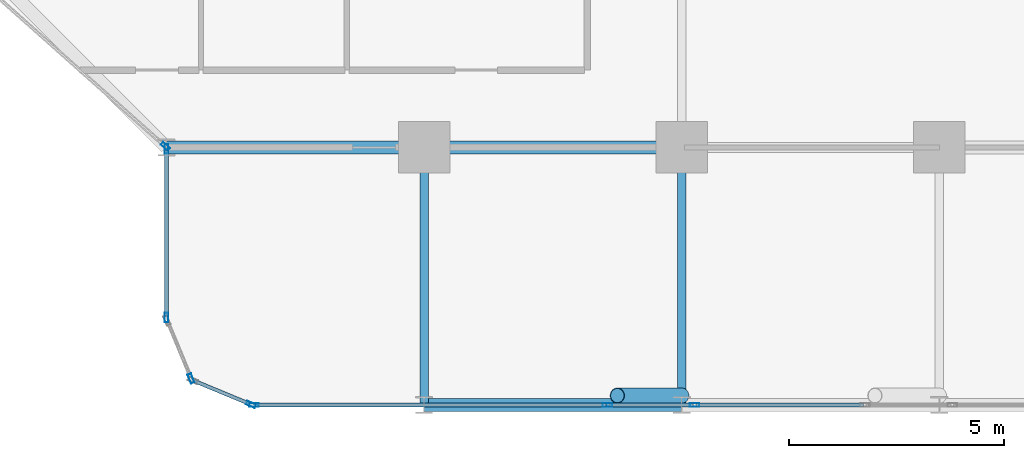
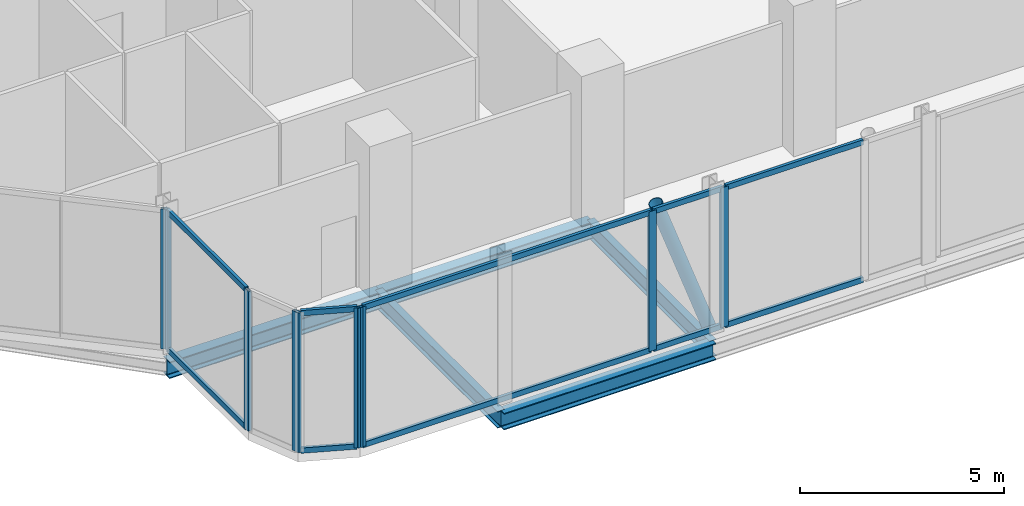
# One storey, part 4 of 30: 19 members, 5 beams, 7 elements without a shape of their own.
"""IFC4 building model written with IfcOpenShell, lengths in metres."""

import ifcopenshell
import ifcopenshell.guid

model = None  # the IFC model being written
_history = None  # IfcOwnerHistory: only IFC2X3 demands one
_inside = {}  # id of a spatial element -> (the spatial element, [elements in it])
_under = {}  # id of a project, library or spatial element -> (it, [spatial elements below it])
_declared = {}  # id of a project -> (the project, [libraries it declares])
_typed = {}  # id of a type object -> (the type object, [elements of that type])
_made_of = {}  # id of a material, layer set ... -> (it, [elements and type objects made of it])


def new_model(schema):
    """Start an empty IFC model of exactly this schema.

    Asked for "IFC4X3", IfcOpenShell would pick the latest addendum, in which some entities
    have other attributes; the version numbers below select the first issue.
    IFC2X3 requires an IfcOwnerHistory on every rooted entity: one is made here for all.
    """
    global model, _history
    if schema == "IFC4X3":
        model = ifcopenshell.file(schema_version=(4, 3, 0, 0))
    else:
        model = ifcopenshell.file(schema=schema)
    _inside.clear()
    _under.clear()
    _declared.clear()
    _typed.clear()
    _made_of.clear()
    _history = None
    if model.schema == "IFC2X3":
        org = make("IfcOrganization", Name="unknown")
        user = make(
            "IfcPersonAndOrganization",
            ThePerson=make("IfcPerson", FamilyName="unknown"),
            TheOrganization=org,
        )
        app = make(
            "IfcApplication",
            ApplicationDeveloper=org,
            Version="unknown",
            ApplicationFullName="unknown",
            ApplicationIdentifier="unknown",
        )
        _history = make(
            "IfcOwnerHistory",
            OwningUser=user,
            OwningApplication=app,
            ChangeAction="ADDED",
            CreationDate=0,
        )
    return model


def make(cls, **values):
    """One entity of the class cls with the attributes given. An attribute that is None is left unset."""
    return model.create_entity(
        cls, **{name: value for name, value in values.items() if value is not None}
    )


def rooted(cls, **values):
    """An entity with a GlobalId (a new one), such as an element, a storey or a relation."""
    return make(cls, GlobalId=ifcopenshell.guid.new(), OwnerHistory=_history, **values)


def si_unit(unit_type, name, prefix=None):
    """IfcSIUnit, for example si_unit("LENGTHUNIT", "METRE", prefix="MILLI")."""
    return make("IfcSIUnit", UnitType=unit_type, Prefix=prefix, Name=name)


def assignment(units):
    """IfcUnitAssignment: the units of a project."""
    return None if units is None else make("IfcUnitAssignment", Units=units)


def point(xyz):
    """IfcCartesianPoint."""
    return None if xyz is None else make("IfcCartesianPoint", Coordinates=xyz)


def direction(xyz):
    """IfcDirection."""
    return None if xyz is None else make("IfcDirection", DirectionRatios=xyz)


def frame(location, z_axis=None, x_axis=None):
    """IfcAxis2Placement3D, a coordinate frame: its origin and axes. An axis left out is left unset."""
    return make(
        "IfcAxis2Placement3D",
        Location=point(location),
        Axis=direction(z_axis),
        RefDirection=direction(x_axis),
    )


def frame_2d(location, x_axis=None):
    """IfcAxis2Placement2D, a coordinate frame in the plane: its origin and x axis."""
    return make(
        "IfcAxis2Placement2D", Location=point(location), RefDirection=direction(x_axis)
    )


def origin():
    """The frame at (0, 0, 0) with its axes left unset."""
    return frame((0.0, 0.0, 0.0))


def origin_2d():
    """The frame at (0, 0) in the plane with its x axis left unset."""
    return frame_2d((0.0, 0.0))


def place(relative_to, where):
    """IfcLocalPlacement: puts the frame where relative to a parent placement (None: the world)."""
    return make(
        "IfcLocalPlacement", PlacementRelTo=relative_to, RelativePlacement=where
    )


def context(
    kind, dimensions, precision=None, world=None, true_north=None, identifier=None
):
    """IfcGeometricRepresentationContext, for example the 3D "Model" context."""
    return make(
        "IfcGeometricRepresentationContext",
        ContextIdentifier=identifier,
        ContextType=kind,
        CoordinateSpaceDimension=dimensions,
        Precision=precision,
        WorldCoordinateSystem=world,
        TrueNorth=true_north,
    )


def subcontext(parent, identifier, kind, view, scale=None):
    """IfcGeometricRepresentationSubContext, for example "Body" below "Model"."""
    return make(
        "IfcGeometricRepresentationSubContext",
        ContextIdentifier=identifier,
        ContextType=kind,
        ParentContext=parent,
        TargetScale=scale,
        TargetView=view,
    )


def project(units=None, contexts=None):
    """IfcProject with its units and contexts."""
    return rooted(
        "IfcProject",
        Name="project",
        RepresentationContexts=contexts,
        UnitsInContext=assignment(units),
    )


def spatial(cls, under=None, at=None, **own):
    """A site, building, storey or space (cls), placed at a placement, below another one or the project."""
    s = rooted(cls, ObjectPlacement=at, **own)
    if under is not None:
        _under.setdefault(under.id(), (under, []))[1].append(s)
    return s


def profile(cls, at=None, kind="AREA", **sizes):
    """A parametric profile (cls). Its sizes go by their IFC names, for example OverallWidth=200.0."""
    return make(cls, ProfileType=kind, Position=at, **sizes)


def hollow_rectangle(**sizes):
    """IfcRectangleHollowProfileDef."""
    return profile("IfcRectangleHollowProfileDef", **sizes)


def hollow_circle(**sizes):
    """IfcCircleHollowProfileDef."""
    return profile("IfcCircleHollowProfileDef", **sizes)


def i_section(**sizes):
    """IfcIShapeProfileDef."""
    return profile("IfcIShapeProfileDef", **sizes)


def extrude(swept, where, along, depth):
    """IfcExtrudedAreaSolid: the profile swept, set in the frame where, extruded along a direction by depth."""
    return make(
        "IfcExtrudedAreaSolid",
        SweptArea=swept,
        Position=where,
        ExtrudedDirection=direction(along),
        Depth=depth,
    )


def shape(context_of_items, identifier, shape_type, items):
    """IfcShapeRepresentation: the items that make up one representation, for example the "Body"."""
    return make(
        "IfcShapeRepresentation",
        ContextOfItems=context_of_items,
        RepresentationIdentifier=identifier,
        RepresentationType=shape_type,
        Items=items,
    )


def material(Name=None, Category=None):
    """IfcMaterial."""
    return make("IfcMaterial", Name=Name, Category=Category)


def layer(
    of_material, thickness, ventilated=None, Name=None, Category=None, Priority=None
):
    """IfcMaterialLayer: one layer of a wall or slab, of a material (None: an air gap)."""
    return make(
        "IfcMaterialLayer",
        Material=of_material,
        LayerThickness=thickness,
        IsVentilated=ventilated,
        Name=Name,
        Category=Category,
        Priority=Priority,
    )


def layer_set(layers, Name=None):
    """IfcMaterialLayerSet."""
    return make("IfcMaterialLayerSet", MaterialLayers=layers, LayerSetName=Name)


def material_profile(
    of_material, cross_section, Name=None, Category=None, Priority=None
):
    """IfcMaterialProfile: a cross section and its material."""
    return make(
        "IfcMaterialProfile",
        Name=Name,
        Material=of_material,
        Profile=cross_section,
        Priority=Priority,
        Category=Category,
    )


def profile_set(profiles, Name=None, composite=None):
    """IfcMaterialProfileSet."""
    return make(
        "IfcMaterialProfileSet",
        Name=Name,
        MaterialProfiles=profiles,
        CompositeProfile=composite,
    )


def made_of(thing, what):
    """Note that an element or type object is made of a material, layer set ...; save() writes the relation."""
    if what is not None:
        _made_of.setdefault(what.id(), (what, []))[1].append(thing)
    return thing


def type_object(cls, material=None, **own):
    """A type object (cls), such as IfcWallType, which elements share."""
    return made_of(rooted(cls, **own), material)


def element(
    cls,
    number,
    at=None,
    inside=None,
    cuts=None,
    type_object=None,
    material=None,
    context=None,
    identifier="Body",
    shape_type=None,
    held_by="IfcProductDefinitionShape",
    body=None,
    shapes=None,
    **own,
):
    """One element of the class cls, such as IfcWall. Its Tag is "e" and its number.

    at: its placement. inside: the storey or other place that contains it. cuts: it is an
    opening in that element (IfcRelVoidsElement). A single representation is given by context,
    identifier, shape_type and body (its items); several are given by shapes. held_by: the class
    of the entity that holds the representations. save() writes the other relations.
    """
    e = rooted(cls, Tag="e%d" % number, ObjectPlacement=at, **own)
    if body is not None:
        shapes = [shape(context, identifier, shape_type, body)]
    if shapes is not None:
        e.Representation = make(held_by, Representations=shapes)
    if inside is not None:
        _inside.setdefault(inside.id(), (inside, []))[1].append(e)
    if cuts is not None:
        rooted(
            "IfcRelVoidsElement", RelatingBuildingElement=cuts, RelatedOpeningElement=e
        )
    if type_object is not None:
        _typed.setdefault(type_object.id(), (type_object, []))[1].append(e)
    return made_of(e, material)


def aggregate(whole, parts):
    """IfcRelAggregates: a whole, such as a stair, and the parts it consists of."""
    return rooted("IfcRelAggregates", RelatingObject=whole, RelatedObjects=parts)


def save(model, path):
    """Write the relations noted so far, then the file.

    IfcRelAggregates (storeys below a building ...), IfcRelContainedInSpatialStructure (elements
    in a storey), IfcRelDefinesByType, IfcRelAssociatesMaterial and IfcRelDeclares: one each for
    every whole, place, type object, material and project.
    """
    for whole, parts in _under.values():
        aggregate(whole, parts)
    for where, things in _inside.values():
        rooted(
            "IfcRelContainedInSpatialStructure",
            RelatedElements=things,
            RelatingStructure=where,
        )
    for kind, things in _typed.values():
        rooted("IfcRelDefinesByType", RelatedObjects=things, RelatingType=kind)
    for what, things in _made_of.values():
        rooted("IfcRelAssociatesMaterial", RelatedObjects=things, RelatingMaterial=what)
    for by, libraries in _declared.values():
        rooted("IfcRelDeclares", RelatingContext=by, RelatedDefinitions=libraries)
    model.write(path)


model = new_model("IFC4")

# Units and contexts
model_context = context("Model", 3, precision=1e-05, world=origin(), true_north=direction((0.0, 1.0)))
body_context = subcontext(model_context, "Body", "Model", "MODEL_VIEW")
ifc_project = project(units=[si_unit("LENGTHUNIT", "METRE"), si_unit("AREAUNIT", "SQUARE_METRE"), si_unit("VOLUMEUNIT", "CUBIC_METRE"), si_unit("PLANEANGLEUNIT", "RADIAN"), si_unit("MASSUNIT", "GRAM", prefix="KILO")], contexts=[model_context])

# Site, building, storey
site_placement = place(None, origin())
site = spatial("IfcSite", under=ifc_project, at=site_placement, CompositionType="ELEMENT")
building_placement = place(site_placement, origin())
building = spatial("IfcBuilding", under=site, at=building_placement, Name="Keshet Zoharim Tower", CompositionType="ELEMENT")
storey_placement = place(building_placement, frame((0.0, 0.0, 65.60009765625)))
storey = spatial("IfcBuildingStorey", under=building, at=storey_placement, Name="L15", CompositionType="ELEMENT", Elevation=65.60009765625)

# Beams
ifc_material_1 = material(Name="Steel S355", Category="steel")
ifc_material_profile_1 = material_profile(ifc_material_1, i_section(OverallWidth=0.199951171875, OverallDepth=0.5, WebThickness=0.01025390625, FlangeThickness=0.01611328125, FilletRadius=0.02099609375, at=origin_2d()), Name="IPE500")
ifc_profile_set_1 = profile_set([ifc_material_profile_1], Name="Steel S355")
beam_type_1 = type_object("IfcBeamType", Name="BM-PRI-IP500", PredefinedType="BEAM", material=ifc_profile_set_1)
for number, where, z_axis, x_axis, name in (
    (1, (27.0, 0.699951171875, -0.570068359375), (0.0, 1.0, 0.0), (-1.0, 0.0, 0.0), "L15 Primary Girder Y-004"),
    (2, (33.0, 0.699951171875, -0.570068359375), (0.0, 1.0, 0.0), (-1.0, 0.0, 0.0), "L15 Primary Girder Y-005"),
):
    element("IfcBeam", number, at=place(storey_placement, frame(where, z_axis=z_axis, x_axis=x_axis)), inside=storey, type_object=beam_type_1, Name=name, PredefinedType="BEAM", context=body_context, shape_type="SweptSolid", body=[
        extrude(i_section(OverallWidth=0.199951171875, OverallDepth=0.5, WebThickness=0.01025390625, FlangeThickness=0.01611328125, FilletRadius=0.02099609375, at=origin_2d()), origin(), (0.0, 0.0, 1.0), 6.0),
    ])
ifc_material_profile_2 = material_profile(ifc_material_1, i_section(OverallWidth=0.300048828125, OverallDepth=0.5, WebThickness=0.014404296875, FlangeThickness=0.028076171875, FilletRadius=0.027099609375, at=origin_2d()), Name="HEB500")
ifc_profile_set_2 = profile_set([ifc_material_profile_2], Name="Steel S355")
beam_type_2 = type_object("IfcBeamType", Name="BM-WEB-HB500", PredefinedType="BEAM", material=ifc_profile_set_2)
for number, where, z_axis, x_axis, name in (
    (3, (27.0, 0.699951171875, -0.570068359375), (1.0, 0.0, 0.0), (0.0, 1.0, 0.0), "L15 Primary Girder X-001"),
    (4, (21.0, 6.699951171875, -0.570068359375), (1.0, 0.0, 0.0), (0.0, 1.0, 0.0), "L15 Primary Girder X-006"),
    (5, (27.0, 6.699951171875, -0.570068359375), (1.0, 0.0, 0.0), (0.0, 1.0, 0.0), "L15 Primary Girder X-007"),
):
    element("IfcBeam", number, at=place(storey_placement, frame(where, z_axis=z_axis, x_axis=x_axis)), inside=storey, type_object=beam_type_2, Name=name, PredefinedType="BEAM", context=body_context, shape_type="SweptSolid", body=[
        extrude(i_section(OverallWidth=0.300048828125, OverallDepth=0.5, WebThickness=0.014404296875, FlangeThickness=0.028076171875, FilletRadius=0.027099609375, at=origin_2d()), origin(), (0.0, 0.0, 1.0), 6.0),
    ])

# Curtain wall, member
ifc_material_2 = material(Name="Aluminium 6063-T6", Category="aluminium")
ifc_layer = layer(ifc_material_2, 0.179931640625)
ifc_layer_set = layer_set([ifc_layer], Name="Aluminium 6063-T6")
curtain_wall_type = type_object("IfcCurtainWallType", Name="CW-SYS-01", PredefinedType="NOTDEFINED", material=ifc_layer_set)
curtain_wall_1_placement = place(storey_placement, origin())
curtain_wall_1 = element("IfcCurtainWall", 6, at=curtain_wall_1_placement, inside=storey, type_object=curtain_wall_type, Name="L15 Unitised Curtain Wall 19 Part 3", PredefinedType="NOTDEFINED")
ifc_material_profile_3 = material_profile(ifc_material_2, hollow_rectangle(XDim=0.090087890625, YDim=0.219970703125, WallThickness=0.0048828125, at=origin_2d()), Name="MUL-90x220")
ifc_profile_set_3 = profile_set([ifc_material_profile_3], Name="Aluminium 6063-T6")
member_type_1 = type_object("IfcMemberType", Name="CWM-M22", PredefinedType="MULLION", material=ifc_profile_set_3)
member_1_placement = place(storey_placement, frame((33.302490234375, 0.699951171875, 0.0), z_axis=(0.0, 0.0, 1.0), x_axis=(0.0, -1.0, 0.0)))
member_1 = element("IfcMember", 7, at=member_1_placement, type_object=member_type_1, Name="CW-01 mullion 2", PredefinedType="MULLION", context=body_context, shape_type="SweptSolid", body=[
    extrude(hollow_rectangle(XDim=0.090087890625, YDim=0.219970703125, WallThickness=0.0048828125, at=origin_2d()), origin(), (0.0, 0.0, 1.0), 4.184814453125),
])

curtain_wall_2_placement = place(storey_placement, origin())
curtain_wall_2 = element("IfcCurtainWall", 8, at=curtain_wall_2_placement, inside=storey, type_object=curtain_wall_type, Name="L15 Unitised Curtain Wall 19 Part 4", PredefinedType="NOTDEFINED")
member_2_placement = place(storey_placement, frame((31.267578125, 0.699951171875, 0.0), z_axis=(0.0, 0.0, 1.0), x_axis=(0.0, -1.0, 0.0)))
member_2 = element("IfcMember", 9, at=member_2_placement, type_object=member_type_1, Name="CW-01 mullion 2", PredefinedType="MULLION", context=body_context, shape_type="SweptSolid", body=[
    extrude(hollow_rectangle(XDim=0.090087890625, YDim=0.219970703125, WallThickness=0.0048828125, at=origin_2d()), origin(), (0.0, 0.0, 1.0), 4.184814453125),
])

curtain_wall_3_placement = place(storey_placement, origin())
curtain_wall_3 = element("IfcCurtainWall", 10, at=curtain_wall_3_placement, inside=storey, type_object=curtain_wall_type, Name="L15 Unitised Curtain Wall 19 Part 5", PredefinedType="NOTDEFINED")
member_3_placement = place(storey_placement, frame((23.034912109375, 0.699951171875, 0.0), z_axis=(0.0, 0.0, 1.0), x_axis=(0.0, -1.0, 0.0)))
member_3 = element("IfcMember", 11, at=member_3_placement, type_object=member_type_1, Name="CW-01 mullion 2", PredefinedType="MULLION", context=body_context, shape_type="SweptSolid", body=[
    extrude(hollow_rectangle(XDim=0.090087890625, YDim=0.219970703125, WallThickness=0.0048828125, at=origin_2d()), origin(), (0.0, 0.0, 1.0), 4.184814453125),
])

curtain_wall_4_placement = place(storey_placement, origin())
curtain_wall_4 = element("IfcCurtainWall", 12, at=curtain_wall_4_placement, inside=storey, type_object=curtain_wall_type, Name="L15 Unitised Curtain Wall 20", PredefinedType="NOTDEFINED")
member_4_placement = place(storey_placement, frame((22.9677734375, 0.71337890625, 0.0), z_axis=(0.0, 0.0, 1.0), x_axis=(-0.382851849847, -0.92380975372, 0.0)))
member_4 = element("IfcMember", 13, at=member_4_placement, type_object=member_type_1, Name="CW-01 mullion 1", PredefinedType="MULLION", context=body_context, shape_type="SweptSolid", body=[
    extrude(hollow_rectangle(XDim=0.090087890625, YDim=0.219970703125, WallThickness=0.0048828125, at=origin_2d()), origin(), (0.0, 0.0, 1.0), 4.184814453125),
])

curtain_wall_5_placement = place(storey_placement, origin())
curtain_wall_5 = element("IfcCurtainWall", 14, at=curtain_wall_5_placement, inside=storey, type_object=curtain_wall_type, Name="L15 Unitised Curtain Wall 21", PredefinedType="NOTDEFINED")
member_5_placement = place(storey_placement, frame((21.572509765625, 1.318359375, 0.0), z_axis=(0.0, 0.0, 1.0), x_axis=(-0.92380975372, -0.382851849847, 0.0)))
member_5 = element("IfcMember", 15, at=member_5_placement, type_object=member_type_1, Name="CW-01 mullion 1", PredefinedType="MULLION", context=body_context, shape_type="SweptSolid", body=[
    extrude(hollow_rectangle(XDim=0.090087890625, YDim=0.219970703125, WallThickness=0.0048828125, at=origin_2d()), origin(), (0.0, 0.0, 1.0), 4.184814453125),
])
aggregate(curtain_wall_5, [member_5])

# Curtain wall, members
curtain_wall_6_placement = place(storey_placement, origin())
curtain_wall_6 = element("IfcCurtainWall", 16, at=curtain_wall_6_placement, inside=storey, type_object=curtain_wall_type, Name="L15 Unitised Curtain Wall 22", PredefinedType="NOTDEFINED")
member_6_placement = place(storey_placement, frame((21.0, 2.735107421875, 0.0), z_axis=(0.0, 0.0, 1.0), x_axis=(-1.0, 0.0, 0.0)))
member_6 = element("IfcMember", 17, at=member_6_placement, type_object=member_type_1, Name="CW-01 mullion 1", PredefinedType="MULLION", context=body_context, shape_type="SweptSolid", body=[
    extrude(hollow_rectangle(XDim=0.090087890625, YDim=0.219970703125, WallThickness=0.0048828125, at=origin_2d()), origin(), (0.0, 0.0, 1.0), 4.184814453125),
])
member_7_placement = place(storey_placement, frame((21.0, 6.6650390625, 0.0), z_axis=(0.0, 0.0, 1.0), x_axis=(-1.0, 0.0, 0.0)))
member_7 = element("IfcMember", 18, at=member_7_placement, type_object=member_type_1, Name="CW-01 mullion 2", PredefinedType="MULLION", context=body_context, shape_type="SweptSolid", body=[
    extrude(hollow_rectangle(XDim=0.090087890625, YDim=0.219970703125, WallThickness=0.0048828125, at=origin_2d()), origin(), (0.0, 0.0, 1.0), 4.184814453125),
])

# Curtain wall, member
curtain_wall_7_placement = place(storey_placement, origin())
curtain_wall_7 = element("IfcCurtainWall", 19, at=curtain_wall_7_placement, inside=storey, type_object=curtain_wall_type, Name="L15 Unitised Curtain Wall 23", PredefinedType="NOTDEFINED")
member_8_placement = place(storey_placement, frame((20.973876953125, 6.72314453125, 0.0), z_axis=(0.0, 0.0, 1.0), x_axis=(-0.664363838836, -0.747409318679, 0.0)))
member_8 = element("IfcMember", 20, at=member_8_placement, type_object=member_type_1, Name="CW-01 mullion 1", PredefinedType="MULLION", context=body_context, shape_type="SweptSolid", body=[
    extrude(hollow_rectangle(XDim=0.090087890625, YDim=0.219970703125, WallThickness=0.0048828125, at=origin_2d()), origin(), (0.0, 0.0, 1.0), 4.184814453125),
])
aggregate(curtain_wall_7, [member_8])

# Member
ifc_material_profile_4 = material_profile(ifc_material_2, hollow_rectangle(XDim=0.0849609375, YDim=0.159912109375, WallThickness=0.00439453125, at=origin_2d()), Name="TRN-85x160")
ifc_profile_set_4 = profile_set([ifc_material_profile_4], Name="Aluminium 6063-T6")
member_type_2 = type_object("IfcMemberType", Name="CWT-T16", PredefinedType="USERDEFINED", material=ifc_profile_set_4)
member_9_placement = place(storey_placement, frame((37.232666015625, 0.699951171875, 0.034912109375), z_axis=(-1.0, 0.0, 0.0), x_axis=(0.0, -1.0, 0.0)))
member_9 = element("IfcMember", 21, at=member_9_placement, type_object=member_type_2, Name="CW-01 transom 1.1", ObjectType="TRANSOM", PredefinedType="USERDEFINED", context=body_context, shape_type="SweptSolid", body=[
    extrude(hollow_rectangle(XDim=0.0849609375, YDim=0.159912109375, WallThickness=0.00439453125, at=origin_2d()), origin(), (0.0, 0.0, 1.0), 3.895263671875),
])

member_10_placement = place(storey_placement, frame((37.232666015625, 0.699951171875, 4.14990234375), z_axis=(-1.0, 0.0, 0.0), x_axis=(0.0, -1.0, 0.0)))
member_10 = element("IfcMember", 22, at=member_10_placement, type_object=member_type_2, Name="CW-01 transom 1.2", ObjectType="TRANSOM", PredefinedType="USERDEFINED", context=body_context, shape_type="SweptSolid", body=[
    extrude(hollow_rectangle(XDim=0.0849609375, YDim=0.159912109375, WallThickness=0.00439453125, at=origin_2d()), origin(), (0.0, 0.0, 1.0), 3.895263671875),
])

aggregate(curtain_wall_1, [member_1, member_9, member_10])

member_11_placement = place(storey_placement, frame((33.267333984375, 0.699951171875, 0.034912109375), z_axis=(-1.0, 0.0, 0.0), x_axis=(0.0, -1.0, 0.0)))
member_11 = element("IfcMember", 23, at=member_11_placement, type_object=member_type_2, Name="CW-01 transom 1.1", ObjectType="TRANSOM", PredefinedType="USERDEFINED", context=body_context, shape_type="SweptSolid", body=[
    extrude(hollow_rectangle(XDim=0.0849609375, YDim=0.159912109375, WallThickness=0.00439453125, at=origin_2d()), origin(), (0.0, 0.0, 1.0), 1.96484375),
])

member_12_placement = place(storey_placement, frame((33.267333984375, 0.699951171875, 4.14990234375), z_axis=(-1.0, 0.0, 0.0), x_axis=(0.0, -1.0, 0.0)))
member_12 = element("IfcMember", 24, at=member_12_placement, type_object=member_type_2, Name="CW-01 transom 1.2", ObjectType="TRANSOM", PredefinedType="USERDEFINED", context=body_context, shape_type="SweptSolid", body=[
    extrude(hollow_rectangle(XDim=0.0849609375, YDim=0.159912109375, WallThickness=0.00439453125, at=origin_2d()), origin(), (0.0, 0.0, 1.0), 1.96484375),
])

aggregate(curtain_wall_2, [member_2, member_11, member_12])

member_13_placement = place(storey_placement, frame((31.232666015625, 0.699951171875, 0.034912109375), z_axis=(-1.0, 0.0, 0.0), x_axis=(0.0, -1.0, 0.0)))
member_13 = element("IfcMember", 25, at=member_13_placement, type_object=member_type_2, Name="CW-01 transom 1.1", ObjectType="TRANSOM", PredefinedType="USERDEFINED", context=body_context, shape_type="SweptSolid", body=[
    extrude(hollow_rectangle(XDim=0.0849609375, YDim=0.159912109375, WallThickness=0.00439453125, at=origin_2d()), origin(), (0.0, 0.0, 1.0), 8.16259765625),
])

member_14_placement = place(storey_placement, frame((31.232666015625, 0.699951171875, 4.14990234375), z_axis=(-1.0, 0.0, 0.0), x_axis=(0.0, -1.0, 0.0)))
member_14 = element("IfcMember", 26, at=member_14_placement, type_object=member_type_2, Name="CW-01 transom 1.2", ObjectType="TRANSOM", PredefinedType="USERDEFINED", context=body_context, shape_type="SweptSolid", body=[
    extrude(hollow_rectangle(XDim=0.0849609375, YDim=0.159912109375, WallThickness=0.00439453125, at=origin_2d()), origin(), (0.0, 0.0, 1.0), 8.16259765625),
])

aggregate(curtain_wall_3, [member_3, member_13, member_14])

member_15_placement = place(storey_placement, frame((22.935302734375, 0.726806640625, 0.034912109375), z_axis=(-0.92379209995, 0.382894445076, 0.0), x_axis=(-0.382894445076, -0.92379209995, 0.0)))
member_15 = element("IfcMember", 27, at=member_15_placement, type_object=member_type_2, Name="CW-01 transom 1.1", ObjectType="TRANSOM", PredefinedType="USERDEFINED", context=body_context, shape_type="SweptSolid", body=[
    extrude(hollow_rectangle(XDim=0.0849609375, YDim=0.159912109375, WallThickness=0.00439453125, at=origin_2d()), origin(), (0.0, 0.0, 1.0), 1.390625),
])

member_16_placement = place(storey_placement, frame((22.935302734375, 0.726806640625, 4.14990234375), z_axis=(-0.92379209995, 0.382894445076, 0.0), x_axis=(-0.382894445076, -0.92379209995, 0.0)))
member_16 = element("IfcMember", 28, at=member_16_placement, type_object=member_type_2, Name="CW-01 transom 1.2", ObjectType="TRANSOM", PredefinedType="USERDEFINED", context=body_context, shape_type="SweptSolid", body=[
    extrude(hollow_rectangle(XDim=0.0849609375, YDim=0.159912109375, WallThickness=0.00439453125, at=origin_2d()), origin(), (0.0, 0.0, 1.0), 1.390625),
])

aggregate(curtain_wall_4, [member_4, member_15, member_16])

member_17_placement = place(storey_placement, frame((21.0, 2.77001953125, 0.034912109375), z_axis=(0.0, 1.0, 0.0), x_axis=(-1.0, 0.0, 0.0)))
member_17 = element("IfcMember", 29, at=member_17_placement, type_object=member_type_2, Name="CW-01 transom 1.1", ObjectType="TRANSOM", PredefinedType="USERDEFINED", context=body_context, shape_type="SweptSolid", body=[
    extrude(hollow_rectangle(XDim=0.0849609375, YDim=0.159912109375, WallThickness=0.00439453125, at=origin_2d()), origin(), (0.0, 0.0, 1.0), 3.85986328125),
])

member_18_placement = place(storey_placement, frame((21.0, 2.77001953125, 4.14990234375), z_axis=(0.0, 1.0, 0.0), x_axis=(-1.0, 0.0, 0.0)))
member_18 = element("IfcMember", 30, at=member_18_placement, type_object=member_type_2, Name="CW-01 transom 1.2", ObjectType="TRANSOM", PredefinedType="USERDEFINED", context=body_context, shape_type="SweptSolid", body=[
    extrude(hollow_rectangle(XDim=0.0849609375, YDim=0.159912109375, WallThickness=0.00439453125, at=origin_2d()), origin(), (0.0, 0.0, 1.0), 3.85986328125),
])

aggregate(curtain_wall_6, [member_6, member_7, member_17, member_18])

ifc_material_profile_5 = material_profile(ifc_material_1, hollow_circle(Radius=0.177734375, WallThickness=0.012451171875, at=origin_2d()), Name="CHS355x12.5")
ifc_profile_set_5 = profile_set([ifc_material_profile_5], Name="Steel S355")
member_type_3 = type_object("IfcMemberType", Name="MB-BR-C355", PredefinedType="BRACE", material=ifc_profile_set_5)
member_19_placement = place(storey_placement, frame((33.0, 0.919921875, 0.0), z_axis=(-0.337418140419, 0.0, 0.941354873847), x_axis=(0.0, -1.0, 0.0)))
element("IfcMember", 31, at=member_19_placement, inside=storey, type_object=member_type_3, Name="L15 Perimeter Tube Brace 02", PredefinedType="BRACE", context=body_context, shape_type="SweptSolid", body=[
    extrude(hollow_circle(Radius=0.177734375, WallThickness=0.012451171875, at=origin_2d()), origin(), (0.0, 0.0, 1.0), 4.445556640625),
])

save(model, "model.ifc")
